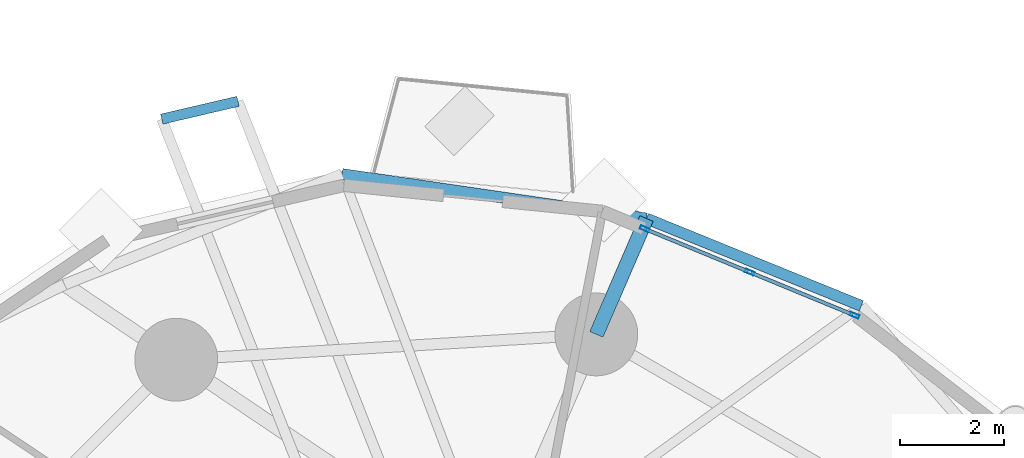
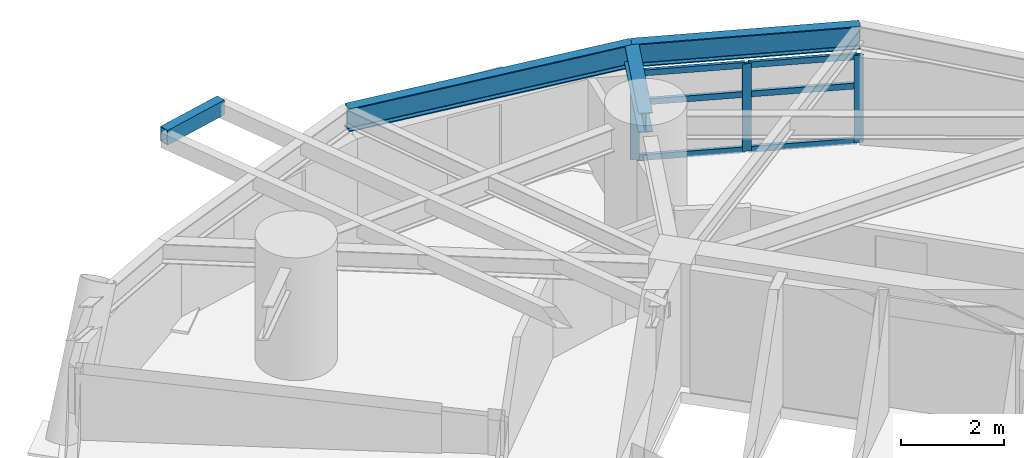
# One storey, part 7 of 18: 9 members, 4 beams, 1 element without a shape of its own.
"""IFC4 building model written with IfcOpenShell, lengths in metres."""

import ifcopenshell
import ifcopenshell.guid

model = None  # the IFC model being written
_history = None  # IfcOwnerHistory: only IFC2X3 demands one
_inside = {}  # id of a spatial element -> (the spatial element, [elements in it])
_under = {}  # id of a project, library or spatial element -> (it, [spatial elements below it])
_declared = {}  # id of a project -> (the project, [libraries it declares])
_typed = {}  # id of a type object -> (the type object, [elements of that type])
_made_of = {}  # id of a material, layer set ... -> (it, [elements and type objects made of it])


def new_model(schema):
    """Start an empty IFC model of exactly this schema.

    Asked for "IFC4X3", IfcOpenShell would pick the latest addendum, in which some entities
    have other attributes; the version numbers below select the first issue.
    IFC2X3 requires an IfcOwnerHistory on every rooted entity: one is made here for all.
    """
    global model, _history
    if schema == "IFC4X3":
        model = ifcopenshell.file(schema_version=(4, 3, 0, 0))
    else:
        model = ifcopenshell.file(schema=schema)
    _inside.clear()
    _under.clear()
    _declared.clear()
    _typed.clear()
    _made_of.clear()
    _history = None
    if model.schema == "IFC2X3":
        org = make("IfcOrganization", Name="unknown")
        user = make(
            "IfcPersonAndOrganization",
            ThePerson=make("IfcPerson", FamilyName="unknown"),
            TheOrganization=org,
        )
        app = make(
            "IfcApplication",
            ApplicationDeveloper=org,
            Version="unknown",
            ApplicationFullName="unknown",
            ApplicationIdentifier="unknown",
        )
        _history = make(
            "IfcOwnerHistory",
            OwningUser=user,
            OwningApplication=app,
            ChangeAction="ADDED",
            CreationDate=0,
        )
    return model


def make(cls, **values):
    """One entity of the class cls with the attributes given. An attribute that is None is left unset."""
    return model.create_entity(
        cls, **{name: value for name, value in values.items() if value is not None}
    )


def rooted(cls, **values):
    """An entity with a GlobalId (a new one), such as an element, a storey or a relation."""
    return make(cls, GlobalId=ifcopenshell.guid.new(), OwnerHistory=_history, **values)


def si_unit(unit_type, name, prefix=None):
    """IfcSIUnit, for example si_unit("LENGTHUNIT", "METRE", prefix="MILLI")."""
    return make("IfcSIUnit", UnitType=unit_type, Prefix=prefix, Name=name)


def assignment(units):
    """IfcUnitAssignment: the units of a project."""
    return None if units is None else make("IfcUnitAssignment", Units=units)


def point(xyz):
    """IfcCartesianPoint."""
    return None if xyz is None else make("IfcCartesianPoint", Coordinates=xyz)


def direction(xyz):
    """IfcDirection."""
    return None if xyz is None else make("IfcDirection", DirectionRatios=xyz)


def frame(location, z_axis=None, x_axis=None):
    """IfcAxis2Placement3D, a coordinate frame: its origin and axes. An axis left out is left unset."""
    return make(
        "IfcAxis2Placement3D",
        Location=point(location),
        Axis=direction(z_axis),
        RefDirection=direction(x_axis),
    )


def frame_2d(location, x_axis=None):
    """IfcAxis2Placement2D, a coordinate frame in the plane: its origin and x axis."""
    return make(
        "IfcAxis2Placement2D", Location=point(location), RefDirection=direction(x_axis)
    )


def origin():
    """The frame at (0, 0, 0) with its axes left unset."""
    return frame((0.0, 0.0, 0.0))


def origin_2d():
    """The frame at (0, 0) in the plane with its x axis left unset."""
    return frame_2d((0.0, 0.0))


def place(relative_to, where):
    """IfcLocalPlacement: puts the frame where relative to a parent placement (None: the world)."""
    return make(
        "IfcLocalPlacement", PlacementRelTo=relative_to, RelativePlacement=where
    )


def context(
    kind, dimensions, precision=None, world=None, true_north=None, identifier=None
):
    """IfcGeometricRepresentationContext, for example the 3D "Model" context."""
    return make(
        "IfcGeometricRepresentationContext",
        ContextIdentifier=identifier,
        ContextType=kind,
        CoordinateSpaceDimension=dimensions,
        Precision=precision,
        WorldCoordinateSystem=world,
        TrueNorth=true_north,
    )


def subcontext(parent, identifier, kind, view, scale=None):
    """IfcGeometricRepresentationSubContext, for example "Body" below "Model"."""
    return make(
        "IfcGeometricRepresentationSubContext",
        ContextIdentifier=identifier,
        ContextType=kind,
        ParentContext=parent,
        TargetScale=scale,
        TargetView=view,
    )


def project(units=None, contexts=None):
    """IfcProject with its units and contexts."""
    return rooted(
        "IfcProject",
        Name="project",
        RepresentationContexts=contexts,
        UnitsInContext=assignment(units),
    )


def spatial(cls, under=None, at=None, **own):
    """A site, building, storey or space (cls), placed at a placement, below another one or the project."""
    s = rooted(cls, ObjectPlacement=at, **own)
    if under is not None:
        _under.setdefault(under.id(), (under, []))[1].append(s)
    return s


def profile(cls, at=None, kind="AREA", **sizes):
    """A parametric profile (cls). Its sizes go by their IFC names, for example OverallWidth=200.0."""
    return make(cls, ProfileType=kind, Position=at, **sizes)


def hollow_rectangle(**sizes):
    """IfcRectangleHollowProfileDef."""
    return profile("IfcRectangleHollowProfileDef", **sizes)


def i_section(**sizes):
    """IfcIShapeProfileDef."""
    return profile("IfcIShapeProfileDef", **sizes)


def extrude(swept, where, along, depth):
    """IfcExtrudedAreaSolid: the profile swept, set in the frame where, extruded along a direction by depth."""
    return make(
        "IfcExtrudedAreaSolid",
        SweptArea=swept,
        Position=where,
        ExtrudedDirection=direction(along),
        Depth=depth,
    )


def shape(context_of_items, identifier, shape_type, items):
    """IfcShapeRepresentation: the items that make up one representation, for example the "Body"."""
    return make(
        "IfcShapeRepresentation",
        ContextOfItems=context_of_items,
        RepresentationIdentifier=identifier,
        RepresentationType=shape_type,
        Items=items,
    )


def material(Name=None, Category=None):
    """IfcMaterial."""
    return make("IfcMaterial", Name=Name, Category=Category)


def layer(
    of_material, thickness, ventilated=None, Name=None, Category=None, Priority=None
):
    """IfcMaterialLayer: one layer of a wall or slab, of a material (None: an air gap)."""
    return make(
        "IfcMaterialLayer",
        Material=of_material,
        LayerThickness=thickness,
        IsVentilated=ventilated,
        Name=Name,
        Category=Category,
        Priority=Priority,
    )


def layer_set(layers, Name=None):
    """IfcMaterialLayerSet."""
    return make("IfcMaterialLayerSet", MaterialLayers=layers, LayerSetName=Name)


def material_profile(
    of_material, cross_section, Name=None, Category=None, Priority=None
):
    """IfcMaterialProfile: a cross section and its material."""
    return make(
        "IfcMaterialProfile",
        Name=Name,
        Material=of_material,
        Profile=cross_section,
        Priority=Priority,
        Category=Category,
    )


def profile_set(profiles, Name=None, composite=None):
    """IfcMaterialProfileSet."""
    return make(
        "IfcMaterialProfileSet",
        Name=Name,
        MaterialProfiles=profiles,
        CompositeProfile=composite,
    )


def made_of(thing, what):
    """Note that an element or type object is made of a material, layer set ...; save() writes the relation."""
    if what is not None:
        _made_of.setdefault(what.id(), (what, []))[1].append(thing)
    return thing


def type_object(cls, material=None, **own):
    """A type object (cls), such as IfcWallType, which elements share."""
    return made_of(rooted(cls, **own), material)


def element(
    cls,
    number,
    at=None,
    inside=None,
    cuts=None,
    type_object=None,
    material=None,
    context=None,
    identifier="Body",
    shape_type=None,
    held_by="IfcProductDefinitionShape",
    body=None,
    shapes=None,
    **own,
):
    """One element of the class cls, such as IfcWall. Its Tag is "e" and its number.

    at: its placement. inside: the storey or other place that contains it. cuts: it is an
    opening in that element (IfcRelVoidsElement). A single representation is given by context,
    identifier, shape_type and body (its items); several are given by shapes. held_by: the class
    of the entity that holds the representations. save() writes the other relations.
    """
    e = rooted(cls, Tag="e%d" % number, ObjectPlacement=at, **own)
    if body is not None:
        shapes = [shape(context, identifier, shape_type, body)]
    if shapes is not None:
        e.Representation = make(held_by, Representations=shapes)
    if inside is not None:
        _inside.setdefault(inside.id(), (inside, []))[1].append(e)
    if cuts is not None:
        rooted(
            "IfcRelVoidsElement", RelatingBuildingElement=cuts, RelatedOpeningElement=e
        )
    if type_object is not None:
        _typed.setdefault(type_object.id(), (type_object, []))[1].append(e)
    return made_of(e, material)


def aggregate(whole, parts):
    """IfcRelAggregates: a whole, such as a stair, and the parts it consists of."""
    return rooted("IfcRelAggregates", RelatingObject=whole, RelatedObjects=parts)


def save(model, path):
    """Write the relations noted so far, then the file.

    IfcRelAggregates (storeys below a building ...), IfcRelContainedInSpatialStructure (elements
    in a storey), IfcRelDefinesByType, IfcRelAssociatesMaterial and IfcRelDeclares: one each for
    every whole, place, type object, material and project.
    """
    for whole, parts in _under.values():
        aggregate(whole, parts)
    for where, things in _inside.values():
        rooted(
            "IfcRelContainedInSpatialStructure",
            RelatedElements=things,
            RelatingStructure=where,
        )
    for kind, things in _typed.values():
        rooted("IfcRelDefinesByType", RelatedObjects=things, RelatingType=kind)
    for what, things in _made_of.values():
        rooted("IfcRelAssociatesMaterial", RelatedObjects=things, RelatingMaterial=what)
    for by, libraries in _declared.values():
        rooted("IfcRelDeclares", RelatingContext=by, RelatedDefinitions=libraries)
    model.write(path)


model = new_model("IFC4")

# Units and contexts
model_context = context("Model", 3, precision=1e-05, world=origin(), true_north=direction((0.0, 1.0)))
body_context = subcontext(model_context, "Body", "Model", "MODEL_VIEW")
ifc_project = project(units=[si_unit("LENGTHUNIT", "METRE"), si_unit("AREAUNIT", "SQUARE_METRE"), si_unit("VOLUMEUNIT", "CUBIC_METRE"), si_unit("PLANEANGLEUNIT", "RADIAN"), si_unit("MASSUNIT", "GRAM", prefix="KILO")], contexts=[model_context])

# Site, building, storey
site_placement = place(None, origin())
site = spatial("IfcSite", under=ifc_project, at=site_placement, CompositionType="ELEMENT")
building_placement = place(site_placement, origin())
building = spatial("IfcBuilding", under=site, at=building_placement, Name="Cununo Teusaquillo Station Towers", CompositionType="ELEMENT")
storey_placement = place(building_placement, frame((0.0, 0.0, 22.0)))
storey = spatial("IfcBuildingStorey", under=building, at=storey_placement, Name="L05", CompositionType="ELEMENT", Elevation=22.0)

# Beams
ifc_material_1 = material(Name="Steel ASTM A572 Grade 50", Category="steel")
ifc_material_profile_1 = material_profile(ifc_material_1, i_section(OverallWidth=0.280029296875, OverallDepth=0.462890625, WebThickness=0.0107421875, FlangeThickness=0.017333984375, FilletRadius=0.013916015625, at=origin_2d()), Name="W18X76")
ifc_profile_set_1 = profile_set([ifc_material_profile_1], Name="Steel ASTM A572 Grade 50")
beam_type_1 = type_object("IfcBeamType", Name="BM-RAD-G1", PredefinedType="BEAM", material=ifc_profile_set_1)
beam_1_placement = place(storey_placement, frame((58.291015625, 37.63525390625, 2.41845703125), z_axis=(0.397441796758, 0.917627385266, 0.0), x_axis=(-0.917627385266, 0.397441796758, 0.0)))
element("IfcBeam", 1, at=beam_1_placement, inside=storey, type_object=beam_type_1, Name="L05 Tower B Perimeter Overhang Girder 02B", PredefinedType="BEAM", context=body_context, shape_type="SweptSolid", body=[
    extrude(i_section(OverallWidth=0.280029296875, OverallDepth=0.462890625, WebThickness=0.0107421875, FlangeThickness=0.017333984375, FilletRadius=0.013916015625, at=origin_2d()), origin(), (0.0, 0.0, 1.0), 2.4404296875),
])
ifc_material_2 = material(Name="Steel ASTM A572 Grade 50", Category="steel")
ifc_material_profile_2 = material_profile(ifc_material_2, i_section(OverallWidth=0.214111328125, OverallDepth=0.549072265625, WebThickness=0.0146484375, FlangeThickness=0.023681640625, FilletRadius=0.014892578125, at=origin_2d()), Name="W21X93")
ifc_profile_set_2 = profile_set([ifc_material_profile_2], Name="Steel ASTM A572 Grade 50")
beam_type_2 = type_object("IfcBeamType", Name="BM-RING-Z1", PredefinedType="SPANDREL", material=ifc_profile_set_2)
beam_2_placement = place(storey_placement, frame((63.41162109375, 38.186279296875, 2.37548828125), z_axis=(-0.926288954553, 0.376813976218, 0.0), x_axis=(-0.376813976218, -0.926288954553, 0.0)))
element("IfcBeam", 2, at=beam_2_placement, inside=storey, type_object=beam_type_2, Name="L05 Tower B Spandrel Ring Beam 02", PredefinedType="SPANDREL", context=body_context, shape_type="SweptSolid", body=[
    extrude(i_section(OverallWidth=0.214111328125, OverallDepth=0.549072265625, WebThickness=0.0146484375, FlangeThickness=0.023681640625, FilletRadius=0.014892578125, at=origin_2d()), origin(), (0.0, 0.0, 1.0), 4.48095703125),
])
beam_3_placement = place(storey_placement, frame((59.260986328125, 39.874755859375, 2.37548828125), z_axis=(-0.989517824356, 0.144410786586, 0.0), x_axis=(-0.144410786586, -0.989517824356, 0.0)))
element("IfcBeam", 3, at=beam_3_placement, inside=storey, type_object=beam_type_2, Name="L05 Tower B Spandrel Ring Beam 03", PredefinedType="SPANDREL", context=body_context, shape_type="SweptSolid", body=[
    extrude(i_section(OverallWidth=0.214111328125, OverallDepth=0.549072265625, WebThickness=0.0146484375, FlangeThickness=0.023681640625, FilletRadius=0.014892578125, at=origin_2d()), origin(), (0.0, 0.0, 1.0), 5.944091796875),
])
ifc_material_3 = material(Name="Steel EN 10025-2 S355J2", Category="steel")
ifc_material_profile_3 = material_profile(ifc_material_3, hollow_rectangle(XDim=0.199951171875, YDim=0.35009765625, WallThickness=0.013916015625, at=origin_2d()), Name="RHS 350x200x14")
ifc_profile_set_3 = profile_set([ifc_material_profile_3], Name="Steel EN 10025-2 S355J2")
beam_type_3 = type_object("IfcBeamType", Name="BM-STAIR-TRIM", PredefinedType="BEAM", material=ifc_profile_set_3)
beam_4_placement = place(storey_placement, frame((51.3662109375, 42.13916015625, 2.52490234375), z_axis=(-0.973830492864, -0.227275540188, 0.0), x_axis=(0.227275540188, -0.973830492864, 0.0)))
element("IfcBeam", 4, at=beam_4_placement, inside=storey, type_object=beam_type_3, Name="L05 Tower B Balcony Edge Trimmer Beam 1", PredefinedType="BEAM", context=body_context, shape_type="SweptSolid", body=[
    extrude(hollow_rectangle(XDim=0.199951171875, YDim=0.35009765625, WallThickness=0.013916015625, at=origin_2d()), origin(), (0.0, 0.0, 1.0), 1.512451171875),
])

# Curtain wall, members
ifc_material_4 = material(Name="Ceramic-fritted dark low-E double glazing", Category="glass")
ifc_layer = layer(ifc_material_4, 0.179931640625)
ifc_layer_set = layer_set([ifc_layer], Name="Ceramic-fritted dark low-E double glazing")
curtain_wall_type = type_object("IfcCurtainWallType", Name="CW-SYS-02", PredefinedType="USERDEFINED", material=ifc_layer_set)
curtain_wall_placement = place(storey_placement, origin())
curtain_wall = element("IfcCurtainWall", 5, at=curtain_wall_placement, inside=storey, type_object=curtain_wall_type, Name="L05 Tower B Facade Curtain Wall C01", ObjectType="FRITTED GLAZING", PredefinedType="USERDEFINED")
ifc_material_5 = material(Name="Anodised dark bronze aluminium EN AW-6063-T6", Category="aluminium")
ifc_material_profile_4 = material_profile(ifc_material_5, hollow_rectangle(XDim=0.070068359375, YDim=0.179931640625, WallThickness=0.00390625, at=origin_2d()), Name="CW-MULL-70x180")
ifc_profile_set_4 = profile_set([ifc_material_profile_4], Name="Anodised dark bronze aluminium EN AW-6063-T6")
member_type_1 = type_object("IfcMemberType", Name="CWM-180", PredefinedType="MULLION", material=ifc_profile_set_4)
member_1_placement = place(storey_placement, frame((59.225341796875, 39.6748046875, 0.0), z_axis=(0.0, 0.0, 1.0), x_axis=(0.38112231431, 0.924524624623, 0.0)))
member_1 = element("IfcMember", 6, at=member_1_placement, type_object=member_type_1, Name="CW-02 mullion 1", PredefinedType="MULLION", context=body_context, shape_type="SweptSolid", body=[
    extrude(hollow_rectangle(XDim=0.070068359375, YDim=0.179931640625, WallThickness=0.00390625, at=origin_2d()), origin(), (0.0, 0.0, 1.0), 2.072998046875),
])
member_2_placement = place(storey_placement, frame((61.25244140625, 38.839111328125, 0.0), z_axis=(0.0, 0.0, 1.0), x_axis=(0.38112231431, 0.924524624623, 0.0)))
member_2 = element("IfcMember", 7, at=member_2_placement, type_object=member_type_1, Name="CW-02 mullion 2", PredefinedType="MULLION", context=body_context, shape_type="SweptSolid", body=[
    extrude(hollow_rectangle(XDim=0.070068359375, YDim=0.179931640625, WallThickness=0.00390625, at=origin_2d()), origin(), (0.0, 0.0, 1.0), 2.072998046875),
])
member_3_placement = place(storey_placement, frame((63.279541015625, 38.00341796875, 0.0), z_axis=(0.0, 0.0, 1.0), x_axis=(0.38112231431, 0.924524624623, 0.0)))
member_3 = element("IfcMember", 8, at=member_3_placement, type_object=member_type_1, Name="CW-02 mullion 3", PredefinedType="MULLION", context=body_context, shape_type="SweptSolid", body=[
    extrude(hollow_rectangle(XDim=0.070068359375, YDim=0.179931640625, WallThickness=0.00390625, at=origin_2d()), origin(), (0.0, 0.0, 1.0), 2.072998046875),
])
ifc_material_6 = material(Name="Anodised dark bronze aluminium EN AW-6063-T6", Category="aluminium")
ifc_material_profile_5 = material_profile(ifc_material_6, hollow_rectangle(XDim=0.070068359375, YDim=0.139892578125, WallThickness=0.00390625, at=origin_2d()), Name="CW-TRAN-70x140")
ifc_profile_set_5 = profile_set([ifc_material_profile_5], Name="Anodised dark bronze aluminium EN AW-6063-T6")
member_type_2 = type_object("IfcMemberType", Name="CWT-140", PredefinedType="USERDEFINED", material=ifc_profile_set_5)
member_4_placement = place(storey_placement, frame((59.257568359375, 39.66162109375, 0.034912109375), z_axis=(0.924506500056, -0.381166277829, 0.0), x_axis=(0.381166277829, 0.924506500056, 0.0)))
member_4 = element("IfcMember", 9, at=member_4_placement, type_object=member_type_2, Name="CW-02 transom 1.1", ObjectType="TRANSOM", PredefinedType="USERDEFINED", context=body_context, shape_type="SweptSolid", body=[
    extrude(hollow_rectangle(XDim=0.070068359375, YDim=0.139892578125, WallThickness=0.00390625, at=origin_2d()), origin(), (0.0, 0.0, 1.0), 2.12255859375),
])
member_5_placement = place(storey_placement, frame((59.257568359375, 39.66162109375, 1.346923828125), z_axis=(0.924506500056, -0.381166277829, 0.0), x_axis=(0.381166277829, 0.924506500056, 0.0)))
member_5 = element("IfcMember", 10, at=member_5_placement, type_object=member_type_2, Name="CW-02 transom 1.2", ObjectType="TRANSOM", PredefinedType="USERDEFINED", context=body_context, shape_type="SweptSolid", body=[
    extrude(hollow_rectangle(XDim=0.070068359375, YDim=0.139892578125, WallThickness=0.00390625, at=origin_2d()), origin(), (0.0, 0.0, 1.0), 2.12255859375),
])
member_6_placement = place(storey_placement, frame((59.257568359375, 39.66162109375, 2.0380859375), z_axis=(0.924506500056, -0.381166277829, 0.0), x_axis=(0.381166277829, 0.924506500056, 0.0)))
member_6 = element("IfcMember", 11, at=member_6_placement, type_object=member_type_2, Name="CW-02 transom 1.3", ObjectType="TRANSOM", PredefinedType="USERDEFINED", context=body_context, shape_type="SweptSolid", body=[
    extrude(hollow_rectangle(XDim=0.070068359375, YDim=0.139892578125, WallThickness=0.00390625, at=origin_2d()), origin(), (0.0, 0.0, 1.0), 2.12255859375),
])
member_7_placement = place(storey_placement, frame((61.28466796875, 38.825927734375, 0.034912109375), z_axis=(0.924506500056, -0.381166277829, 0.0), x_axis=(0.381166277829, 0.924506500056, 0.0)))
member_7 = element("IfcMember", 12, at=member_7_placement, type_object=member_type_2, Name="CW-02 transom 2.1", ObjectType="TRANSOM", PredefinedType="USERDEFINED", context=body_context, shape_type="SweptSolid", body=[
    extrude(hollow_rectangle(XDim=0.070068359375, YDim=0.139892578125, WallThickness=0.00390625, at=origin_2d()), origin(), (0.0, 0.0, 1.0), 2.12255859375),
])
member_8_placement = place(storey_placement, frame((61.28466796875, 38.825927734375, 1.346923828125), z_axis=(0.924506500056, -0.381166277829, 0.0), x_axis=(0.381166277829, 0.924506500056, 0.0)))
member_8 = element("IfcMember", 13, at=member_8_placement, type_object=member_type_2, Name="CW-02 transom 2.2", ObjectType="TRANSOM", PredefinedType="USERDEFINED", context=body_context, shape_type="SweptSolid", body=[
    extrude(hollow_rectangle(XDim=0.070068359375, YDim=0.139892578125, WallThickness=0.00390625, at=origin_2d()), origin(), (0.0, 0.0, 1.0), 2.12255859375),
])
member_9_placement = place(storey_placement, frame((61.28466796875, 38.825927734375, 2.0380859375), z_axis=(0.924506500056, -0.381166277829, 0.0), x_axis=(0.381166277829, 0.924506500056, 0.0)))
member_9 = element("IfcMember", 14, at=member_9_placement, type_object=member_type_2, Name="CW-02 transom 2.3", ObjectType="TRANSOM", PredefinedType="USERDEFINED", context=body_context, shape_type="SweptSolid", body=[
    extrude(hollow_rectangle(XDim=0.070068359375, YDim=0.139892578125, WallThickness=0.00390625, at=origin_2d()), origin(), (0.0, 0.0, 1.0), 2.12255859375),
])
aggregate(curtain_wall, [member_1, member_2, member_3, member_4, member_5, member_6, member_7, member_8, member_9])

save(model, "model.ifc")
